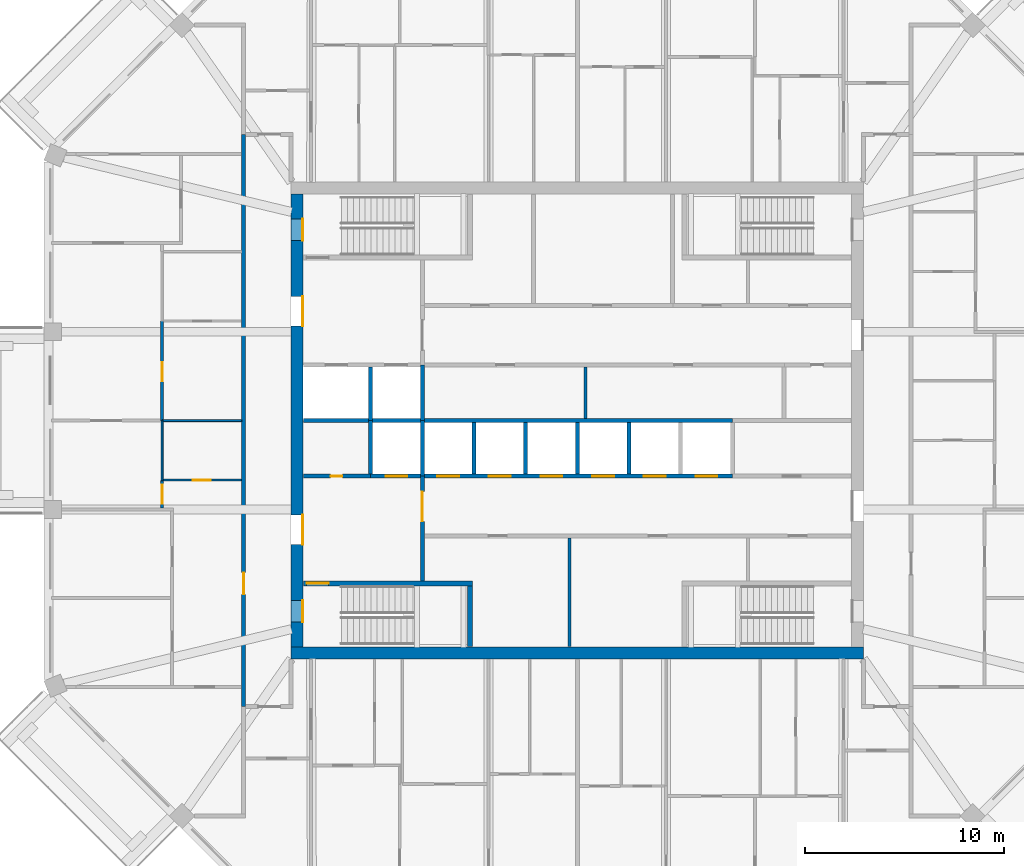
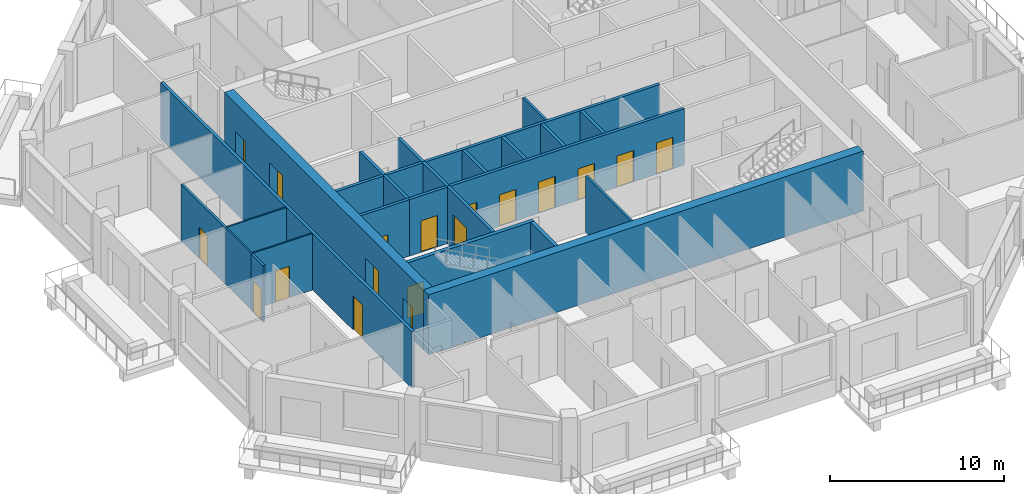
# One storey, part 4 of 13: 24 walls, 18 doors, 18 openings.
"""IFC4 building model written with IfcOpenShell, lengths in metres."""

from ifc_helpers import new_model, si_unit, direction, frame, frame_2d, origin, place, context, subcontext, project, spatial, rectangle, extrude, material, layer, layer_set, type_object, element, fill, save


model = new_model("IFC4")

# Units and contexts
model_context = context("Model", 3, precision=1e-05, world=origin(), true_north=direction((0.0, 1.0)))
body_context = subcontext(model_context, "Body", "Model", "MODEL_VIEW")
ifc_project = project(units=[si_unit("LENGTHUNIT", "METRE"), si_unit("AREAUNIT", "SQUARE_METRE"), si_unit("VOLUMEUNIT", "CUBIC_METRE"), si_unit("PLANEANGLEUNIT", "RADIAN"), si_unit("MASSUNIT", "GRAM", prefix="KILO")], contexts=[model_context])

# Site, building, storey
site_placement = place(None, origin())
site = spatial("IfcSite", under=ifc_project, at=site_placement, CompositionType="ELEMENT")
building_placement = place(site_placement, origin())
building = spatial("IfcBuilding", under=site, at=building_placement, Name="Msitu Wima Residences", CompositionType="ELEMENT")
storey_placement = place(building_placement, frame((0.0, 0.0, 289.5)))
storey = spatial("IfcBuildingStorey", under=building, at=storey_placement, Name="L67", CompositionType="ELEMENT", Elevation=289.5)

# Wall
ifc_material_1 = material(Name="Concrete C50/60", Category="concrete")
ifc_layer_1 = layer(ifc_material_1, 0.60009765625)
ifc_layer_set_1 = layer_set([ifc_layer_1], Name="Concrete C50/60")
wall_type_1 = type_object("IfcWallType", Name="Core wall CW600 C50/60", PredefinedType="SHEAR", material=ifc_layer_set_1)
wall_1_placement = place(storey_placement, frame((-14.39990234375, -11.699951171875, 0.0), z_axis=(0.0, 0.0, 1.0), x_axis=(1.0, 0.0, 0.0)))
element("IfcWall", 1, at=wall_1_placement, inside=storey, type_object=wall_type_1, Name="Core wall", PredefinedType="SHEAR", context=body_context, shape_type="SweptSolid", body=[
    extrude(rectangle(XDim=28.7998046875, YDim=0.60009765625, at=frame_2d((14.39990234375, 0.0))), origin(), (0.0, 0.0, 1.0), 4.199951171875),
])

# Wall, openings, doors
wall_2_placement = place(storey_placement, frame((-14.10009765625, -11.39990234375, 0.0), z_axis=(0.0, 0.0, 1.0), x_axis=(0.0, 1.0, 0.0)))
wall_2 = element("IfcWall", 2, at=wall_2_placement, inside=storey, type_object=wall_type_1, Name="Core wall", PredefinedType="SHEAR", context=body_context, shape_type="SweptSolid", body=[
    extrude(rectangle(XDim=22.7998046875, YDim=0.60009765625, at=frame_2d((11.39990234375, 0.0))), origin(), (0.0, 0.0, 1.0), 4.199951171875),
])
opening_1_placement = place(wall_2_placement, frame((20.449951171875, 0.0, 0.0)))
opening_1 = element("IfcOpeningElement", 3, at=opening_1_placement, cuts=wall_2, Name="Opening D65-67.092", PredefinedType="OPENING", context=body_context, shape_type="SweptSolid", body=[
    extrude(rectangle(XDim=1.10009765625, YDim=2.199951171875, at=frame_2d((0.550048828125, 1.10009765625))), frame((0.0, 0.31005859375, 0.0), z_axis=(0.0, -1.0, 0.0), x_axis=(1.0, 0.0, 0.0)), (0.0, 0.0, 1.0), 0.6201171875),
])
opening_2_placement = place(wall_2_placement, frame((1.25, 0.0, 0.0)))
opening_2 = element("IfcOpeningElement", 4, at=opening_2_placement, cuts=wall_2, Name="Opening D65-67.094", PredefinedType="OPENING", context=body_context, shape_type="SweptSolid", body=[
    extrude(rectangle(XDim=1.10009765625, YDim=2.199951171875, at=frame_2d((0.550048828125, 1.10009765625))), frame((0.0, 0.31005859375, 0.0), z_axis=(0.0, -1.0, 0.0), x_axis=(1.0, 0.0, 0.0)), (0.0, 0.0, 1.0), 0.6201171875),
])
opening_3_placement = place(wall_2_placement, frame((16.14990234375, 0.0, 0.0)))
opening_3 = element("IfcOpeningElement", 5, at=opening_3_placement, cuts=wall_2, Name="Opening D65-67.075", PredefinedType="OPENING", context=body_context, shape_type="SweptSolid", body=[
    extrude(rectangle(XDim=1.5, YDim=2.39990234375, at=frame_2d((0.75, 1.199951171875))), frame((0.0, 0.31005859375, 0.0), z_axis=(0.0, -1.0, 0.0), x_axis=(1.0, 0.0, 0.0)), (0.0, 0.0, 1.0), 0.6201171875),
])
opening_4_placement = place(wall_2_placement, frame((5.14990234375, 0.0, 0.0)))
opening_4 = element("IfcOpeningElement", 6, at=opening_4_placement, cuts=wall_2, Name="Opening D65-67.077", PredefinedType="OPENING", context=body_context, shape_type="SweptSolid", body=[
    extrude(rectangle(XDim=1.5, YDim=2.39990234375, at=frame_2d((0.75, 1.199951171875))), frame((0.0, 0.31005859375, 0.0), z_axis=(0.0, -1.0, 0.0), x_axis=(1.0, 0.0, 0.0)), (0.0, 0.0, 1.0), 0.6201171875),
])
ifc_material_2 = material(Name="Steel framed glazed door, fire resisting", Category="steel")
door_type_1 = type_object("IfcDoorType", Name="Lobby door D07 1500x2400", OperationType="DOUBLE_DOOR_SINGLE_SWING", PredefinedType="DOOR", material=ifc_material_2)
door_1_placement = place(opening_3_placement, origin())
door_1 = element("IfcDoor", 7, at=door_1_placement, inside=storey, type_object=door_type_1, Name="Lobby door", OperationType="DOUBLE_DOOR_SINGLE_SWING", OverallHeight=2.39990234375, OverallWidth=1.5, PredefinedType="DOOR", context=body_context, shape_type="SweptSolid", body=[
    extrude(rectangle(XDim=1.5, YDim=2.39990234375, at=frame_2d((0.75, 1.199951171875))), frame((0.0, -0.2451171875, 0.0), z_axis=(0.0, -1.0, 0.0), x_axis=(1.0, 0.0, 0.0)), (0.0, 0.0, 1.0), 0.050048828125),
])
fill(opening_3, door_1)
door_2_placement = place(opening_4_placement, origin())
door_2 = element("IfcDoor", 8, at=door_2_placement, inside=storey, type_object=door_type_1, Name="Lobby door", OperationType="DOUBLE_DOOR_SINGLE_SWING", OverallHeight=2.39990234375, OverallWidth=1.5, PredefinedType="DOOR", context=body_context, shape_type="SweptSolid", body=[
    extrude(rectangle(XDim=1.5, YDim=2.39990234375, at=frame_2d((0.75, 1.199951171875))), frame((0.0, -0.2451171875, 0.0), z_axis=(0.0, -1.0, 0.0), x_axis=(1.0, 0.0, 0.0)), (0.0, 0.0, 1.0), 0.050048828125),
])
fill(opening_4, door_2)
ifc_material_3 = material(Name="Steel door, fire resisting, panic bar", Category="steel")
door_type_2 = type_object("IfcDoorType", Name="Stair door D06 1100x2200", OperationType="SINGLE_SWING_LEFT", PredefinedType="DOOR", material=ifc_material_3)
door_3_placement = place(opening_1_placement, origin())
door_3 = element("IfcDoor", 9, at=door_3_placement, inside=storey, type_object=door_type_2, Name="Stair door", OperationType="SINGLE_SWING_RIGHT", OverallHeight=2.199951171875, OverallWidth=1.10009765625, PredefinedType="DOOR", context=body_context, shape_type="SweptSolid", body=[
    extrude(rectangle(XDim=1.10009765625, YDim=2.199951171875, at=frame_2d((0.550048828125, 1.10009765625))), frame((0.0, -0.2451171875, 0.0), z_axis=(0.0, -1.0, 0.0), x_axis=(1.0, 0.0, 0.0)), (0.0, 0.0, 1.0), 0.050048828125),
])
fill(opening_1, door_3)
door_4_placement = place(opening_2_placement, origin())
door_4 = element("IfcDoor", 10, at=door_4_placement, inside=storey, type_object=door_type_2, Name="Stair door", OperationType="SINGLE_SWING_LEFT", OverallHeight=2.199951171875, OverallWidth=1.10009765625, PredefinedType="DOOR", context=body_context, shape_type="SweptSolid", body=[
    extrude(rectangle(XDim=1.10009765625, YDim=2.199951171875, at=frame_2d((0.550048828125, 1.10009765625))), frame((0.0, -0.2451171875, 0.0), z_axis=(0.0, -1.0, 0.0), x_axis=(1.0, 0.0, 0.0)), (0.0, 0.0, 1.0), 0.050048828125),
])
fill(opening_2, door_4)

# Wall, opening, door
ifc_material_4 = material(Name="Plaster")
ifc_layer_2 = layer(ifc_material_4, 0.011962890625, Name="Plaster")
ifc_material_5 = material(Name="Concrete blockwork", Category="masonry")
ifc_layer_3 = layer(ifc_material_5, 0.176025390625, Name="Concrete blockwork")
ifc_layer_4 = layer(ifc_material_4, 0.011962890625, Name="Plaster")
ifc_layer_set_2 = layer_set([ifc_layer_2, ifc_layer_3, ifc_layer_4], Name="Concrete blockwork")
wall_type_2 = type_object("IfcWallType", Name="Corridor wall FW200", PredefinedType="PARTITIONING", material=ifc_layer_set_2)
wall_3_placement = place(storey_placement, frame((-16.800048828125, -14.39990234375, 0.0), z_axis=(0.0, 0.0, 1.0), x_axis=(0.0, 1.0, 0.0)))
wall_3 = element("IfcWall", 11, at=wall_3_placement, inside=storey, type_object=wall_type_2, Name="Corridor wall", PredefinedType="PARTITIONING", context=body_context, shape_type="SweptSolid", body=[
    extrude(rectangle(XDim=28.7998046875, YDim=0.199951171875, at=frame_2d((14.39990234375, 0.0))), origin(), (0.0, 0.0, 1.0), 3.949951171875),
])
opening_5_placement = place(wall_3_placement, frame((5.64990234375, 0.0, 0.0)))
opening_5 = element("IfcOpeningElement", 12, at=opening_5_placement, cuts=wall_3, Name="Opening D65-67.042", PredefinedType="OPENING", context=body_context, shape_type="SweptSolid", body=[
    extrude(rectangle(XDim=1.10009765625, YDim=2.39990234375, at=frame_2d((0.550048828125, 1.199951171875))), frame((0.0, 0.10986328125, 0.0), z_axis=(0.0, -1.0, 0.0), x_axis=(1.0, 0.0, 0.0)), (0.0, 0.0, 1.0), 0.219970703125),
])
ifc_material_6 = material(Name="Timber flush door, fire resisting, self-closing", Category="wood")
door_type_3 = type_object("IfcDoorType", Name="Flat entrance door D01 1100x2400", OperationType="SINGLE_SWING_LEFT", PredefinedType="DOOR", material=ifc_material_6)
door_5_placement = place(opening_5_placement, origin())
door_5 = element("IfcDoor", 13, at=door_5_placement, inside=storey, type_object=door_type_3, Name="Flat entrance door", OperationType="SINGLE_SWING_LEFT", OverallHeight=2.39990234375, OverallWidth=1.10009765625, PredefinedType="DOOR", context=body_context, shape_type="SweptSolid", body=[
    extrude(rectangle(XDim=1.10009765625, YDim=2.39990234375, at=frame_2d((0.550048828125, 1.199951171875))), frame((0.0, 0.02490234375, 0.0), z_axis=(0.0, -1.0, 0.0), x_axis=(1.0, 0.0, 0.0)), (0.0, 0.0, 1.0), 0.050048828125),
])
fill(opening_5, door_5)

wall_4_placement = place(storey_placement, frame((-7.800048828125, -8.074951171875, 0.0), z_axis=(0.0, 0.0, 1.0), x_axis=(0.0, 1.0, 0.0)))
wall_4 = element("IfcWall", 14, at=wall_4_placement, inside=storey, type_object=wall_type_2, Name="Corridor wall", PredefinedType="PARTITIONING", context=body_context, shape_type="SweptSolid", body=[
    extrude(rectangle(XDim=5.27490234375, YDim=0.199951171875, at=frame_2d((2.637451171875, 0.0))), origin(), (0.0, 0.0, 1.0), 3.949951171875),
])
opening_6_placement = place(wall_4_placement, frame((3.0, 0.0, 0.0)))
opening_6 = element("IfcOpeningElement", 15, at=opening_6_placement, cuts=wall_4, Name="Opening D65-67.078", PredefinedType="OPENING", context=body_context, shape_type="SweptSolid", body=[
    extrude(rectangle(XDim=1.5, YDim=2.39990234375, at=frame_2d((0.75, 1.199951171875))), frame((0.0, 0.10986328125, 0.0), z_axis=(0.0, -1.0, 0.0), x_axis=(1.0, 0.0, 0.0)), (0.0, 0.0, 1.0), 0.219970703125),
])
door_6_placement = place(opening_6_placement, origin())
door_6 = element("IfcDoor", 16, at=door_6_placement, inside=storey, type_object=door_type_1, Name="Lobby door", OperationType="DOUBLE_DOOR_SINGLE_SWING", OverallHeight=2.39990234375, OverallWidth=1.5, PredefinedType="DOOR", context=body_context, shape_type="SweptSolid", body=[
    extrude(rectangle(XDim=1.5, YDim=2.39990234375, at=frame_2d((0.75, 1.199951171875))), frame((0.0, 0.02490234375, 0.0), z_axis=(0.0, -1.0, 0.0), x_axis=(1.0, 0.0, 0.0)), (0.0, 0.0, 1.0), 0.050048828125),
])
fill(opening_6, door_6)

ifc_layer_5 = layer(ifc_material_4, 0.011962890625, Name="Plaster")
ifc_layer_6 = layer(ifc_material_5, 0.1259765625, Name="Concrete blockwork")
ifc_layer_7 = layer(ifc_material_4, 0.011962890625, Name="Plaster")
ifc_layer_set_3 = layer_set([ifc_layer_5, ifc_layer_6, ifc_layer_7], Name="Concrete blockwork")
wall_type_3 = type_object("IfcWallType", Name="Partition PW150", PredefinedType="PARTITIONING", material=ifc_layer_set_3)
wall_5_placement = place(storey_placement, frame((-20.89990234375, -4.3935546875, 0.0), z_axis=(0.0, 0.0, 1.0), x_axis=(0.0, 1.0, 0.0)))
wall_5 = element("IfcWall", 17, at=wall_5_placement, inside=storey, type_object=wall_type_3, Name="Partition", PredefinedType="PARTITIONING", context=body_context, shape_type="SweptSolid", body=[
    extrude(rectangle(XDim=1.37353515625, YDim=0.14990234375, at=frame_2d((0.686767578125, 0.0))), origin(), (0.0, 0.0, 1.0), 3.949951171875),
])
opening_7_placement = place(wall_5_placement, frame((0.199951171875, 0.0, 0.0)))
opening_7 = element("IfcOpeningElement", 18, at=opening_7_placement, cuts=wall_5, Name="Opening D65-67.049", PredefinedType="OPENING", context=body_context, shape_type="SweptSolid", body=[
    extrude(rectangle(XDim=0.949951171875, YDim=2.199951171875, at=frame_2d((0.47509765625, 1.10009765625))), frame((0.0, 0.0849609375, 0.0), z_axis=(0.0, -1.0, 0.0), x_axis=(1.0, 0.0, 0.0)), (0.0, 0.0, 1.0), 0.169921875),
])
ifc_material_7 = material(Name="Timber flush door", Category="wood")
door_type_4 = type_object("IfcDoorType", Name="Room door D12 950x2200", OperationType="SINGLE_SWING_LEFT", PredefinedType="DOOR", material=ifc_material_7)
door_7_placement = place(opening_7_placement, origin())
door_7 = element("IfcDoor", 19, at=door_7_placement, inside=storey, type_object=door_type_4, Name="Room door", OperationType="SINGLE_SWING_LEFT", OverallHeight=2.199951171875, OverallWidth=0.949951171875, PredefinedType="DOOR", context=body_context, shape_type="SweptSolid", body=[
    extrude(rectangle(XDim=0.949951171875, YDim=2.199951171875, at=frame_2d((0.47509765625, 1.10009765625))), frame((0.0, 0.02490234375, 0.0), z_axis=(0.0, -1.0, 0.0), x_axis=(1.0, 0.0, 0.0)), (0.0, 0.0, 1.0), 0.050048828125),
])
fill(opening_7, door_7)

wall_6_placement = place(storey_placement, frame((-20.89990234375, -0.02001953125, 0.0), z_axis=(0.0, 0.0, 1.0), x_axis=(0.0, 1.0, 0.0)))
wall_6 = element("IfcWall", 20, at=wall_6_placement, inside=storey, type_object=wall_type_3, Name="Partition", PredefinedType="PARTITIONING", context=body_context, shape_type="SweptSolid", body=[
    extrude(rectangle(XDim=5.02001953125, YDim=0.14990234375, at=frame_2d((2.510009765625, 0.0))), origin(), (0.0, 0.0, 1.0), 3.949951171875),
])
opening_8_placement = place(wall_6_placement, frame((2.0, 0.0, 0.0)))
opening_8 = element("IfcOpeningElement", 21, at=opening_8_placement, cuts=wall_6, Name="Opening D65-67.053", PredefinedType="OPENING", context=body_context, shape_type="SweptSolid", body=[
    extrude(rectangle(XDim=0.949951171875, YDim=2.199951171875, at=frame_2d((0.47509765625, 1.10009765625))), frame((0.0, 0.0849609375, 0.0), z_axis=(0.0, -1.0, 0.0), x_axis=(1.0, 0.0, 0.0)), (0.0, 0.0, 1.0), 0.169921875),
])
door_8_placement = place(opening_8_placement, origin())
door_8 = element("IfcDoor", 22, at=door_8_placement, inside=storey, type_object=door_type_4, Name="Room door", OperationType="SINGLE_SWING_LEFT", OverallHeight=2.199951171875, OverallWidth=0.949951171875, PredefinedType="DOOR", context=body_context, shape_type="SweptSolid", body=[
    extrude(rectangle(XDim=0.949951171875, YDim=2.199951171875, at=frame_2d((0.47509765625, 1.10009765625))), frame((0.0, 0.02490234375, 0.0), z_axis=(0.0, -1.0, 0.0), x_axis=(1.0, 0.0, 0.0)), (0.0, 0.0, 1.0), 0.050048828125),
])
fill(opening_8, door_8)

# Walls
wall_7_placement = place(storey_placement, frame((-0.39990234375, -11.3701171875, 0.0), z_axis=(0.0, 0.0, 1.0), x_axis=(0.0, 1.0, 0.0)))
element("IfcWall", 23, at=wall_7_placement, inside=storey, type_object=wall_type_3, Name="Partition", PredefinedType="PARTITIONING", context=body_context, shape_type="SweptSolid", body=[
    extrude(rectangle(XDim=5.47021484375, YDim=0.14990234375, at=frame_2d((2.735107421875, 0.0))), origin(), (0.0, 0.0, 1.0), 3.949951171875),
])
wall_8_placement = place(storey_placement, frame((0.39990234375, 0.10009765625, 0.0), z_axis=(0.0, 0.0, 1.0), x_axis=(0.0, 1.0, 0.0)))
element("IfcWall", 24, at=wall_8_placement, inside=storey, type_object=wall_type_3, Name="Partition", PredefinedType="PARTITIONING", context=body_context, shape_type="SweptSolid", body=[
    extrude(rectangle(XDim=2.599853515625, YDim=0.14990234375, at=frame_2d((1.2998046875, 0.0))), origin(), (0.0, 0.0, 1.0), 3.949951171875),
])

# Wall, opening, door
ifc_layer_8 = layer(ifc_material_4, 0.011962890625, Name="Plaster")
ifc_material_8 = material(Name="Reinforced concrete blockwork", Category="masonry")
ifc_layer_9 = layer(ifc_material_8, 0.176025390625, Name="Reinforced concrete blockwork")
ifc_layer_10 = layer(ifc_material_4, 0.011962890625, Name="Plaster")
ifc_layer_set_4 = layer_set([ifc_layer_8, ifc_layer_9, ifc_layer_10], Name="Reinforced concrete blockwork")
wall_type_4 = type_object("IfcWallType", Name="Plant and riser wall PL200", PredefinedType="PARTITIONING", material=ifc_layer_set_4)
wall_9_placement = place(storey_placement, frame((-13.77001953125, -2.800048828125, 0.0), z_axis=(0.0, 0.0, 1.0), x_axis=(1.0, 0.0, 0.0)))
wall_9 = element("IfcWall", 25, at=wall_9_placement, inside=storey, type_object=wall_type_4, Name="Plant and riser wall", PredefinedType="PARTITIONING", context=body_context, shape_type="SweptSolid", body=[
    extrude(rectangle(XDim=3.3701171875, YDim=0.199951171875, at=frame_2d((1.68505859375, 0.0))), origin(), (0.0, 0.0, 1.0), 3.949951171875),
])
opening_9_placement = place(wall_9_placement, frame((1.35009765625, 0.0, 0.0)))
opening_9 = element("IfcOpeningElement", 26, at=opening_9_placement, cuts=wall_9, Name="Opening D65-67.091", PredefinedType="OPENING", context=body_context, shape_type="SweptSolid", body=[
    extrude(rectangle(XDim=0.60009765625, YDim=2.0, at=frame_2d((0.300048828125, 1.0))), frame((0.0, 0.10986328125, 0.0), z_axis=(0.0, -1.0, 0.0), x_axis=(1.0, 0.0, 0.0)), (0.0, 0.0, 1.0), 0.219970703125),
])
ifc_material_9 = material(Name="Steel access door, fire resisting", Category="steel")
door_type_5 = type_object("IfcDoorType", Name="Riser access door D08 600x2000", OperationType="SINGLE_SWING_LEFT", PredefinedType="DOOR", material=ifc_material_9)
door_9_placement = place(opening_9_placement, origin())
door_9 = element("IfcDoor", 27, at=door_9_placement, inside=storey, type_object=door_type_5, Name="Riser access door", OperationType="SINGLE_SWING_RIGHT", OverallHeight=2.0, OverallWidth=0.60009765625, PredefinedType="DOOR", context=body_context, shape_type="SweptSolid", body=[
    extrude(rectangle(XDim=0.60009765625, YDim=2.0, at=frame_2d((0.300048828125, 1.0))), frame((0.0, 0.02490234375, 0.0), z_axis=(0.0, -1.0, 0.0), x_axis=(1.0, 0.0, 0.0)), (0.0, 0.0, 1.0), 0.050048828125),
])
fill(opening_9, door_9)

# Walls
ifc_material_10 = material(Name="Fire-rated board")
ifc_layer_11 = layer(ifc_material_10, 0.02490234375, Name="Fire-rated board")
ifc_material_11 = material(Name="Light-gauge stud framing with mineral wool")
ifc_layer_12 = layer(ifc_material_11, 0.14990234375, Name="Light-gauge stud framing with mineral wool")
ifc_layer_13 = layer(ifc_material_10, 0.02490234375, Name="Fire-rated board")
ifc_layer_set_5 = layer_set([ifc_layer_11, ifc_layer_12, ifc_layer_13], Name="Light-gauge stud framing with mineral wool")
wall_type_5 = type_object("IfcWallType", Name="Shaft wall SH200", PredefinedType="PARTITIONING", material=ifc_layer_set_5)
wall_10_placement = place(storey_placement, frame((-13.77001953125, 0.0, 0.0), z_axis=(0.0, 0.0, 1.0), x_axis=(1.0, 0.0, 0.0)))
element("IfcWall", 28, at=wall_10_placement, inside=storey, type_object=wall_type_5, Name="Shaft wall", PredefinedType="PARTITIONING", context=body_context, shape_type="SweptSolid", body=[
    extrude(rectangle(XDim=21.570068359375, YDim=0.199951171875, at=frame_2d((10.78515625, 0.0))), origin(), (0.0, 0.0, 1.0), 3.949951171875),
])
wall_11_placement = place(storey_placement, frame((-10.39990234375, -2.699951171875, 0.0), z_axis=(0.0, 0.0, 1.0), x_axis=(0.0, 1.0, 0.0)))
element("IfcWall", 29, at=wall_11_placement, inside=storey, type_object=wall_type_5, Name="Shaft wall", PredefinedType="PARTITIONING", context=body_context, shape_type="SweptSolid", body=[
    extrude(rectangle(XDim=2.699951171875, YDim=0.199951171875, at=frame_2d((1.35009765625, 0.0))), origin(), (0.0, 0.0, 1.0), 3.949951171875),
])

# Wall, openings, doors
wall_12_placement = place(storey_placement, frame((-10.39990234375, -2.800048828125, 0.0), z_axis=(0.0, 0.0, 1.0), x_axis=(1.0, 0.0, 0.0)))
wall_12 = element("IfcWall", 30, at=wall_12_placement, inside=storey, type_object=wall_type_5, Name="Shaft wall", PredefinedType="PARTITIONING", context=body_context, shape_type="SweptSolid", body=[
    extrude(rectangle(XDim=18.199951171875, YDim=0.199951171875, at=frame_2d((9.10009765625, 0.0))), origin(), (0.0, 0.0, 1.0), 3.949951171875),
])
opening_10_placement = place(wall_12_placement, frame((0.75, 0.0, 0.0)))
opening_10 = element("IfcOpeningElement", 31, at=opening_10_placement, cuts=wall_12, Name="Opening LD", PredefinedType="OPENING", context=body_context, shape_type="SweptSolid", body=[
    extrude(rectangle(XDim=1.10009765625, YDim=2.199951171875, at=frame_2d((0.550048828125, 1.10009765625))), frame((0.0, 0.10986328125, 0.0), z_axis=(0.0, -1.0, 0.0), x_axis=(1.0, 0.0, 0.0)), (0.0, 0.0, 1.0), 0.219970703125),
])
opening_11_placement = place(wall_12_placement, frame((3.35009765625, 0.0, 0.0)))
opening_11 = element("IfcOpeningElement", 32, at=opening_11_placement, cuts=wall_12, Name="Opening LD", PredefinedType="OPENING", context=body_context, shape_type="SweptSolid", body=[
    extrude(rectangle(XDim=1.10009765625, YDim=2.199951171875, at=frame_2d((0.550048828125, 1.10009765625))), frame((0.0, 0.10986328125, 0.0), z_axis=(0.0, -1.0, 0.0), x_axis=(1.0, 0.0, 0.0)), (0.0, 0.0, 1.0), 0.219970703125),
])
opening_12_placement = place(wall_12_placement, frame((5.949951171875, 0.0, 0.0)))
opening_12 = element("IfcOpeningElement", 33, at=opening_12_placement, cuts=wall_12, Name="Opening LD", PredefinedType="OPENING", context=body_context, shape_type="SweptSolid", body=[
    extrude(rectangle(XDim=1.10009765625, YDim=2.199951171875, at=frame_2d((0.550048828125, 1.10009765625))), frame((0.0, 0.10986328125, 0.0), z_axis=(0.0, -1.0, 0.0), x_axis=(1.0, 0.0, 0.0)), (0.0, 0.0, 1.0), 0.219970703125),
])
opening_13_placement = place(wall_12_placement, frame((8.550048828125, 0.0, 0.0)))
opening_13 = element("IfcOpeningElement", 34, at=opening_13_placement, cuts=wall_12, Name="Opening LD", PredefinedType="OPENING", context=body_context, shape_type="SweptSolid", body=[
    extrude(rectangle(XDim=1.10009765625, YDim=2.199951171875, at=frame_2d((0.550048828125, 1.10009765625))), frame((0.0, 0.10986328125, 0.0), z_axis=(0.0, -1.0, 0.0), x_axis=(1.0, 0.0, 0.0)), (0.0, 0.0, 1.0), 0.219970703125),
])
opening_14_placement = place(wall_12_placement, frame((11.14990234375, 0.0, 0.0)))
opening_14 = element("IfcOpeningElement", 35, at=opening_14_placement, cuts=wall_12, Name="Opening LD", PredefinedType="OPENING", context=body_context, shape_type="SweptSolid", body=[
    extrude(rectangle(XDim=1.10009765625, YDim=2.199951171875, at=frame_2d((0.550048828125, 1.10009765625))), frame((0.0, 0.10986328125, 0.0), z_axis=(0.0, -1.0, 0.0), x_axis=(1.0, 0.0, 0.0)), (0.0, 0.0, 1.0), 0.219970703125),
])
opening_15_placement = place(wall_12_placement, frame((13.75, 0.0, 0.0)))
opening_15 = element("IfcOpeningElement", 36, at=opening_15_placement, cuts=wall_12, Name="Opening LD", PredefinedType="OPENING", context=body_context, shape_type="SweptSolid", body=[
    extrude(rectangle(XDim=1.10009765625, YDim=2.199951171875, at=frame_2d((0.550048828125, 1.10009765625))), frame((0.0, 0.10986328125, 0.0), z_axis=(0.0, -1.0, 0.0), x_axis=(1.0, 0.0, 0.0)), (0.0, 0.0, 1.0), 0.219970703125),
])
opening_16_placement = place(wall_12_placement, frame((16.35009765625, 0.0, 0.0)))
opening_16 = element("IfcOpeningElement", 37, at=opening_16_placement, cuts=wall_12, Name="Opening LD", PredefinedType="OPENING", context=body_context, shape_type="SweptSolid", body=[
    extrude(rectangle(XDim=1.10009765625, YDim=2.199951171875, at=frame_2d((0.550048828125, 1.10009765625))), frame((0.0, 0.10986328125, 0.0), z_axis=(0.0, -1.0, 0.0), x_axis=(1.0, 0.0, 0.0)), (0.0, 0.0, 1.0), 0.219970703125),
])
ifc_material_12 = material(Name="Stainless steel centre-opening landing door, rated", Category="steel")
door_type_6 = type_object("IfcDoorType", Name="Lift landing door LD 1100x2200", OperationType="DOUBLE_DOOR_SLIDING", PredefinedType="DOOR", material=ifc_material_12)
door_10_placement = place(opening_10_placement, origin())
door_10 = element("IfcDoor", 38, at=door_10_placement, inside=storey, type_object=door_type_6, Name="Lift landing door LD3", OperationType="DOUBLE_DOOR_SLIDING", OverallHeight=2.199951171875, OverallWidth=1.10009765625, PredefinedType="DOOR", context=body_context, shape_type="SweptSolid", body=[
    extrude(rectangle(XDim=1.10009765625, YDim=2.199951171875, at=frame_2d((0.550048828125, 1.10009765625))), frame((0.0, 0.02490234375, 0.0), z_axis=(0.0, -1.0, 0.0), x_axis=(1.0, 0.0, 0.0)), (0.0, 0.0, 1.0), 0.050048828125),
])
fill(opening_10, door_10)
door_11_placement = place(opening_11_placement, origin())
door_11 = element("IfcDoor", 39, at=door_11_placement, inside=storey, type_object=door_type_6, Name="Lift landing door LD5", OperationType="DOUBLE_DOOR_SLIDING", OverallHeight=2.199951171875, OverallWidth=1.10009765625, PredefinedType="DOOR", context=body_context, shape_type="SweptSolid", body=[
    extrude(rectangle(XDim=1.10009765625, YDim=2.199951171875, at=frame_2d((0.550048828125, 1.10009765625))), frame((0.0, 0.02490234375, 0.0), z_axis=(0.0, -1.0, 0.0), x_axis=(1.0, 0.0, 0.0)), (0.0, 0.0, 1.0), 0.050048828125),
])
fill(opening_11, door_11)
door_12_placement = place(opening_12_placement, origin())
door_12 = element("IfcDoor", 40, at=door_12_placement, inside=storey, type_object=door_type_6, Name="Lift landing door LD7", OperationType="DOUBLE_DOOR_SLIDING", OverallHeight=2.199951171875, OverallWidth=1.10009765625, PredefinedType="DOOR", context=body_context, shape_type="SweptSolid", body=[
    extrude(rectangle(XDim=1.10009765625, YDim=2.199951171875, at=frame_2d((0.550048828125, 1.10009765625))), frame((0.0, 0.02490234375, 0.0), z_axis=(0.0, -1.0, 0.0), x_axis=(1.0, 0.0, 0.0)), (0.0, 0.0, 1.0), 0.050048828125),
])
fill(opening_12, door_12)
door_13_placement = place(opening_13_placement, origin())
door_13 = element("IfcDoor", 41, at=door_13_placement, inside=storey, type_object=door_type_6, Name="Lift landing door LD9", OperationType="DOUBLE_DOOR_SLIDING", OverallHeight=2.199951171875, OverallWidth=1.10009765625, PredefinedType="DOOR", context=body_context, shape_type="SweptSolid", body=[
    extrude(rectangle(XDim=1.10009765625, YDim=2.199951171875, at=frame_2d((0.550048828125, 1.10009765625))), frame((0.0, 0.02490234375, 0.0), z_axis=(0.0, -1.0, 0.0), x_axis=(1.0, 0.0, 0.0)), (0.0, 0.0, 1.0), 0.050048828125),
])
fill(opening_13, door_13)
door_14_placement = place(opening_14_placement, origin())
door_14 = element("IfcDoor", 42, at=door_14_placement, inside=storey, type_object=door_type_6, Name="Lift landing door LD11", OperationType="DOUBLE_DOOR_SLIDING", OverallHeight=2.199951171875, OverallWidth=1.10009765625, PredefinedType="DOOR", context=body_context, shape_type="SweptSolid", body=[
    extrude(rectangle(XDim=1.10009765625, YDim=2.199951171875, at=frame_2d((0.550048828125, 1.10009765625))), frame((0.0, 0.02490234375, 0.0), z_axis=(0.0, -1.0, 0.0), x_axis=(1.0, 0.0, 0.0)), (0.0, 0.0, 1.0), 0.050048828125),
])
fill(opening_14, door_14)
door_15_placement = place(opening_15_placement, origin())
door_15 = element("IfcDoor", 43, at=door_15_placement, inside=storey, type_object=door_type_6, Name="Lift landing door LD13", OperationType="DOUBLE_DOOR_SLIDING", OverallHeight=2.199951171875, OverallWidth=1.10009765625, PredefinedType="DOOR", context=body_context, shape_type="SweptSolid", body=[
    extrude(rectangle(XDim=1.10009765625, YDim=2.199951171875, at=frame_2d((0.550048828125, 1.10009765625))), frame((0.0, 0.02490234375, 0.0), z_axis=(0.0, -1.0, 0.0), x_axis=(1.0, 0.0, 0.0)), (0.0, 0.0, 1.0), 0.050048828125),
])
fill(opening_15, door_15)
door_16_placement = place(opening_16_placement, origin())
door_16 = element("IfcDoor", 44, at=door_16_placement, inside=storey, type_object=door_type_6, Name="Lift landing door LD15", OperationType="DOUBLE_DOOR_SLIDING", OverallHeight=2.199951171875, OverallWidth=1.10009765625, PredefinedType="DOOR", context=body_context, shape_type="SweptSolid", body=[
    extrude(rectangle(XDim=1.10009765625, YDim=2.199951171875, at=frame_2d((0.550048828125, 1.10009765625))), frame((0.0, 0.02490234375, 0.0), z_axis=(0.0, -1.0, 0.0), x_axis=(1.0, 0.0, 0.0)), (0.0, 0.0, 1.0), 0.050048828125),
])
fill(opening_16, door_16)

# Walls
wall_13_placement = place(storey_placement, frame((-10.39990234375, 0.0, 0.0), z_axis=(0.0, 0.0, 1.0), x_axis=(0.0, 1.0, 0.0)))
element("IfcWall", 45, at=wall_13_placement, inside=storey, type_object=wall_type_5, Name="Shaft wall", PredefinedType="PARTITIONING", context=body_context, shape_type="SweptSolid", body=[
    extrude(rectangle(XDim=2.699951171875, YDim=0.199951171875, at=frame_2d((1.35009765625, 0.0))), origin(), (0.0, 0.0, 1.0), 3.949951171875),
])
for number, where, z_axis, x_axis, name in (
    (46, (-7.800048828125, -2.800048828125, 0.0), (0.0, 0.0, 1.0), (0.0, 1.0, 0.0), "Shaft wall"),
    (47, (-7.800048828125, 0.0, 0.0), (0.0, 0.0, 1.0), (0.0, 1.0, 0.0), "Shaft wall"),
):
    element("IfcWall", number, at=place(storey_placement, frame(where, z_axis=z_axis, x_axis=x_axis)), inside=storey, type_object=wall_type_5, Name=name, PredefinedType="PARTITIONING", context=body_context, shape_type="SweptSolid", body=[
        extrude(rectangle(XDim=2.800048828125, YDim=0.199951171875, at=frame_2d((1.39990234375, 0.0))), origin(), (0.0, 0.0, 1.0), 3.949951171875),
    ])
for number, where, z_axis, x_axis, name in (
    (48, (-5.199951171875, -2.699951171875, 0.0), (0.0, 0.0, 1.0), (0.0, 1.0, 0.0), "Shaft wall"),
    (49, (-2.60009765625, -2.699951171875, 0.0), (0.0, 0.0, 1.0), (0.0, 1.0, 0.0), "Shaft wall"),
    (50, (0.0, -2.699951171875, 0.0), (0.0, 0.0, 1.0), (0.0, 1.0, 0.0), "Shaft wall"),
    (51, (2.60009765625, -2.699951171875, 0.0), (0.0, 0.0, 1.0), (0.0, 1.0, 0.0), "Shaft wall"),
):
    element("IfcWall", number, at=place(storey_placement, frame(where, z_axis=z_axis, x_axis=x_axis)), inside=storey, type_object=wall_type_5, Name=name, PredefinedType="PARTITIONING", context=body_context, shape_type="SweptSolid", body=[
        extrude(rectangle(XDim=2.599853515625, YDim=0.199951171875, at=frame_2d((1.2998046875, 0.0))), origin(), (0.0, 0.0, 1.0), 3.949951171875),
    ])

# Wall, opening, door
ifc_layer_14 = layer(ifc_material_1, 0.25)
ifc_layer_set_6 = layer_set([ifc_layer_14], Name="Concrete C50/60")
wall_type_6 = type_object("IfcWallType", Name="Stair enclosure wall SW250", PredefinedType="SHEAR", material=ifc_layer_set_6)
wall_14_placement = place(storey_placement, frame((-13.77001953125, -8.199951171875, 0.0), z_axis=(0.0, 0.0, 1.0), x_axis=(1.0, 0.0, 0.0)))
wall_14 = element("IfcWall", 52, at=wall_14_placement, inside=storey, type_object=wall_type_6, Name="Stair enclosure wall", PredefinedType="SHEAR", context=body_context, shape_type="SweptSolid", body=[
    extrude(rectangle(XDim=8.4951171875, YDim=0.25, at=frame_2d((4.24755859375, 0.0))), origin(), (0.0, 0.0, 1.0), 3.949951171875),
])
opening_17_placement = place(wall_14_placement, frame((0.14990234375, 0.0, 0.0)))
opening_17 = element("IfcOpeningElement", 53, at=opening_17_placement, cuts=wall_14, Name="Opening D65-67.095", PredefinedType="OPENING", context=body_context, shape_type="SweptSolid", body=[
    extrude(rectangle(XDim=1.10009765625, YDim=2.199951171875, at=frame_2d((0.550048828125, 1.10009765625))), frame((0.0, 0.135009765625, 0.0), z_axis=(0.0, -1.0, 0.0), x_axis=(1.0, 0.0, 0.0)), (0.0, 0.0, 1.0), 0.27001953125),
])
door_17_placement = place(opening_17_placement, origin())
door_17 = element("IfcDoor", 54, at=door_17_placement, inside=storey, type_object=door_type_2, Name="Stair door", OperationType="SINGLE_SWING_RIGHT", OverallHeight=2.199951171875, OverallWidth=1.10009765625, PredefinedType="DOOR", context=body_context, shape_type="SweptSolid", body=[
    extrude(rectangle(XDim=1.10009765625, YDim=2.199951171875, at=frame_2d((0.550048828125, 1.10009765625))), frame((0.0, 0.02490234375, 0.0), z_axis=(0.0, -1.0, 0.0), x_axis=(1.0, 0.0, 0.0)), (0.0, 0.0, 1.0), 0.050048828125),
])
fill(opening_17, door_17)

# Walls
wall_15_placement = place(storey_placement, frame((-5.39990234375, -11.3701171875, 0.0), z_axis=(0.0, 0.0, 1.0), x_axis=(0.0, 1.0, 0.0)))
element("IfcWall", 55, at=wall_15_placement, inside=storey, type_object=wall_type_6, Name="Stair enclosure wall", PredefinedType="SHEAR", context=body_context, shape_type="SweptSolid", body=[
    extrude(rectangle(XDim=3.045166015625, YDim=0.25, at=frame_2d((1.5224609375, 0.0))), origin(), (0.0, 0.0, 1.0), 3.949951171875),
])
ifc_material_13 = material(Name="Ceramic tiles")
ifc_layer_15 = layer(ifc_material_13, 0.008056640625, Name="Ceramic tiles")
ifc_material_14 = material(Name="Moisture-resistant board")
ifc_layer_16 = layer(ifc_material_14, 0.012451171875, Name="Moisture-resistant board")
ifc_layer_17 = layer(ifc_material_11, 0.06689453125, Name="Light-gauge stud framing with mineral wool")
ifc_layer_18 = layer(ifc_material_14, 0.012451171875, Name="Moisture-resistant board")
ifc_layer_set_7 = layer_set([ifc_layer_15, ifc_layer_16, ifc_layer_17, ifc_layer_18], Name="Light-gauge stud framing with mineral wool")
wall_type_7 = type_object("IfcWallType", Name="Wet wall PW100", PredefinedType="PARTITIONING", material=ifc_layer_set_7)
wall_16_placement = place(storey_placement, frame((-20.89990234375, -3.02001953125, 0.0), z_axis=(0.0, 0.0, 1.0), x_axis=(0.0, 1.0, 0.0)))
element("IfcWall", 56, at=wall_16_placement, inside=storey, type_object=wall_type_7, Name="Wet wall", PredefinedType="PARTITIONING", context=body_context, shape_type="SweptSolid", body=[
    extrude(rectangle(XDim=3.0, YDim=0.10009765625, at=frame_2d((1.5, 0.0))), origin(), (0.0, 0.0, 1.0), 3.949951171875),
])

# Wall, opening, door
wall_17_placement = place(storey_placement, frame((-20.85009765625, -3.0, 0.0), z_axis=(0.0, 0.0, 1.0), x_axis=(1.0, 0.0, 0.0)))
wall_17 = element("IfcWall", 57, at=wall_17_placement, inside=storey, type_object=wall_type_7, Name="Wet wall", PredefinedType="PARTITIONING", context=body_context, shape_type="SweptSolid", body=[
    extrude(rectangle(XDim=3.9501953125, YDim=0.10009765625, at=frame_2d((1.97509765625, 0.0))), origin(), (0.0, 0.0, 1.0), 3.949951171875),
])
opening_18_placement = place(wall_17_placement, frame((1.5, 0.0, 0.0)))
opening_18 = element("IfcOpeningElement", 58, at=opening_18_placement, cuts=wall_17, Name="Opening D65-67.046", PredefinedType="OPENING", context=body_context, shape_type="SweptSolid", body=[
    extrude(rectangle(XDim=0.89990234375, YDim=2.199951171875, at=frame_2d((0.449951171875, 1.10009765625))), frame((0.0, 0.06005859375, 0.0), z_axis=(0.0, -1.0, 0.0), x_axis=(1.0, 0.0, 0.0)), (0.0, 0.0, 1.0), 0.1201171875),
])
ifc_material_15 = material(Name="Timber flush door, moisture resistant", Category="wood")
door_type_7 = type_object("IfcDoorType", Name="Bathroom door D03 900x2200", OperationType="SINGLE_SWING_LEFT", PredefinedType="DOOR", material=ifc_material_15)
door_18_placement = place(opening_18_placement, origin())
door_18 = element("IfcDoor", 59, at=door_18_placement, inside=storey, type_object=door_type_7, Name="Bathroom door", OperationType="SINGLE_SWING_LEFT", OverallHeight=2.199951171875, OverallWidth=0.89990234375, PredefinedType="DOOR", context=body_context, shape_type="SweptSolid", body=[
    extrude(rectangle(XDim=0.89990234375, YDim=2.199951171875, at=frame_2d((0.449951171875, 1.10009765625))), frame((0.0, 0.02490234375, 0.0), z_axis=(0.0, -1.0, 0.0), x_axis=(1.0, 0.0, 0.0)), (0.0, 0.0, 1.0), 0.050048828125),
])
fill(opening_18, door_18)

# Wall
wall_18_placement = place(storey_placement, frame((-20.8798828125, 0.0, 0.0), z_axis=(0.0, 0.0, 1.0), x_axis=(1.0, 0.0, 0.0)))
element("IfcWall", 60, at=wall_18_placement, inside=storey, type_object=wall_type_7, Name="Wet wall", PredefinedType="PARTITIONING", context=body_context, shape_type="SweptSolid", body=[
    extrude(rectangle(XDim=3.97998046875, YDim=0.10009765625, at=frame_2d((1.989990234375, 0.0))), origin(), (0.0, 0.0, 1.0), 3.949951171875),
])

save(model, "model.ifc")
